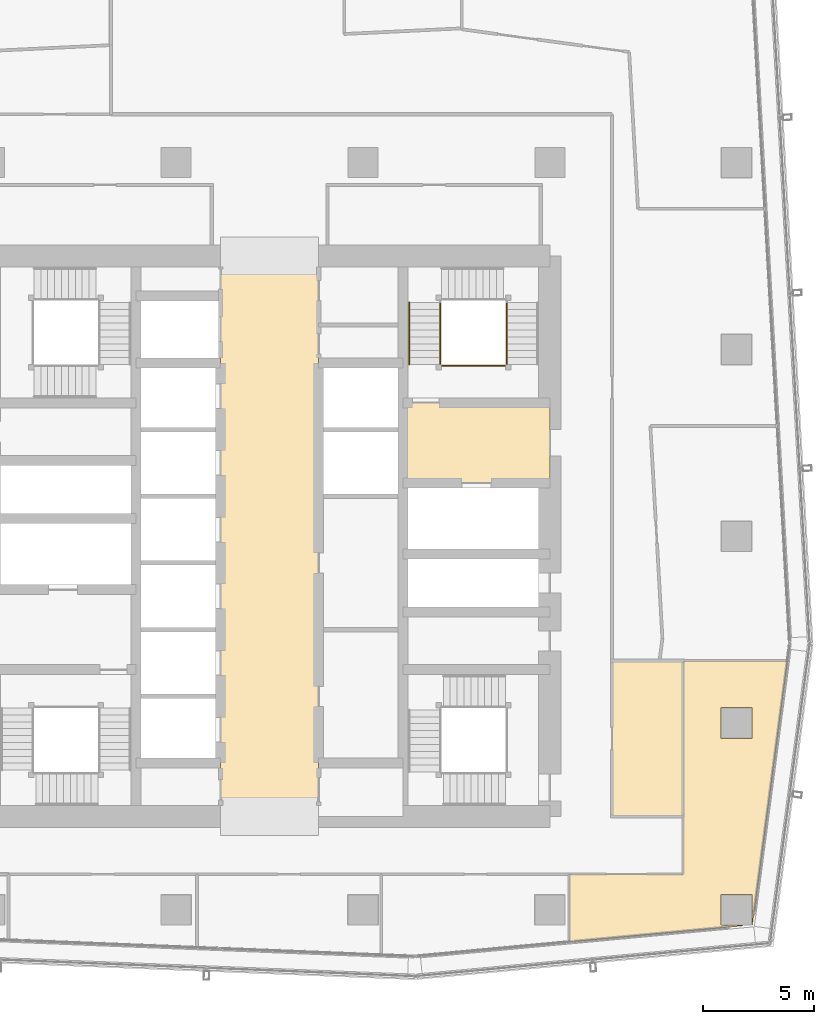
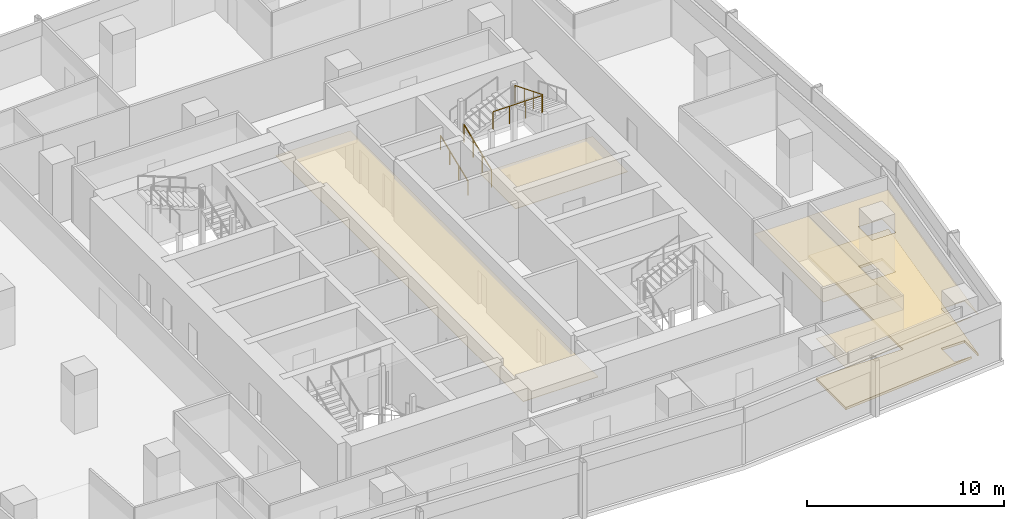
# One storey, part 36 of 40: 5 coverings, 4 railings.
"""IFC4 building model written with IfcOpenShell, lengths in metres."""

from ifc_helpers import new_model, si_unit, direction, frame, origin, origin_2d, place, context, subcontext, project, spatial, polyline, circle, outline, extrude, material, layer, layer_set, type_object, element, save


model = new_model("IFC4")

# Units and contexts
model_context = context("Model", 3, precision=1e-05, world=origin(), true_north=direction((0.0, 1.0)))
body_context = subcontext(model_context, "Body", "Model", "MODEL_VIEW")
ifc_project = project(units=[si_unit("LENGTHUNIT", "METRE"), si_unit("AREAUNIT", "SQUARE_METRE"), si_unit("VOLUMEUNIT", "CUBIC_METRE"), si_unit("PLANEANGLEUNIT", "RADIAN"), si_unit("MASSUNIT", "GRAM", prefix="KILO")], contexts=[model_context])

# Site, building, storey
site_placement = place(None, origin())
site = spatial("IfcSite", under=ifc_project, at=site_placement, CompositionType="ELEMENT")
building_placement = place(site_placement, origin())
building = spatial("IfcBuilding", under=site, at=building_placement, Name="Rekha Terrace Tower", CompositionType="ELEMENT")
storey_placement = place(building_placement, frame((0.0, 0.0, 210.199951171875)))
storey = spatial("IfcBuildingStorey", under=building, at=storey_placement, Name="L53", CompositionType="ELEMENT", Elevation=210.199951171875)

# Coverings
ifc_material_1 = material(Name="Mineral fibre tile in exposed grid", Category="finish")
ifc_layer_1 = layer(ifc_material_1, 0.02001953125)
ifc_layer_set_1 = layer_set([ifc_layer_1], Name="Mineral fibre tile in exposed grid")
covering_type_1 = type_object("IfcCoveringType", Name="CL1 600x1200 office grid ceiling", PredefinedType="CEILING", material=ifc_layer_set_1)
covering_1_placement = place(storey_placement, frame((0.0, 0.0, 2.580078125)))
element("IfcCovering", 1, at=covering_1_placement, inside=storey, type_object=covering_type_1, Name="Ceiling L53-04", PredefinedType="CEILING", context=body_context, shape_type="SweptSolid", body=[
    extrude(outline(polyline([(59.489990234375, 16.12890625), (59.510009765625, 16.1279296875), (61.0830078125, 28.0), (56.39990234375, 28.0), (56.39990234375, 18.39990234375), (51.291015625, 18.39990234375), (51.291015625, 15.362060546875), (59.080078125, 16.0869140625), (59.0791015625, 16.110107421875), (58.110107421875, 16.110107421875), (58.110107421875, 17.489990234375), (59.489990234375, 17.489990234375), (59.489990234375, 16.12890625)]), holes=[polyline([(59.489990234375, 24.510009765625), (58.110107421875, 24.510009765625), (58.110107421875, 25.889892578125), (59.489990234375, 25.889892578125), (59.489990234375, 24.510009765625)])]), origin(), (0.0, 0.0, 1.0), 0.02001953125),
])
ifc_material_2 = material(Name="Fibre cement board", Category="finish")
ifc_layer_2 = layer(ifc_material_2, 0.014892578125)
ifc_layer_set_2 = layer_set([ifc_layer_2], Name="Fibre cement board")
covering_type_2 = type_object("IfcCoveringType", Name="CL2 moisture-resistant board ceiling", PredefinedType="CEILING", material=ifc_layer_set_2)
covering_2_placement = place(storey_placement, frame((0.0, 0.0, 2.5849609375)))
element("IfcCovering", 2, at=covering_2_placement, inside=storey, type_object=covering_type_2, Name="Ceiling L53-WCM2", PredefinedType="CEILING", context=body_context, shape_type="SweptSolid", body=[
    extrude(outline(polyline([(56.39990234375, 28.0), (53.199951171875, 28.0), (53.199951171875, 21.0), (56.39990234375, 21.0), (56.39990234375, 28.0)])), origin(), (0.0, 0.0, 1.0), 0.01513671875),
])
ifc_material_3 = material(Name="Powder-coated aluminium pan", Category="aluminium")
ifc_layer_3 = layer(ifc_material_3, 0.030029296875)
ifc_layer_set_3 = layer_set([ifc_layer_3], Name="Powder-coated aluminium pan")
covering_type_3 = type_object("IfcCoveringType", Name="CL3 300x1200 metal pan ceiling", PredefinedType="CEILING", material=ifc_layer_set_3)
covering_3_placement = place(storey_placement, frame((0.0, 0.0, 2.570068359375)))
element("IfcCovering", 3, at=covering_3_placement, inside=storey, type_object=covering_type_3, Name="Ceiling L53-LOBBY", PredefinedType="CEILING", context=body_context, shape_type="SweptSolid", body=[
    extrude(outline(polyline([(40.0, 46.199951171875), (35.60009765625, 46.199951171875), (35.60009765625, 21.0), (40.0, 21.0), (40.0, 46.199951171875)])), origin(), (0.0, 0.0, 1.0), 0.030029296875),
])
covering_4_placement = place(storey_placement, frame((0.0, 0.0, 2.570068359375)))
element("IfcCovering", 4, at=covering_4_placement, inside=storey, type_object=covering_type_3, Name="Ceiling L53-FLB2", PredefinedType="CEILING", context=body_context, shape_type="SweptSolid", body=[
    extrude(outline(polyline([(50.39990234375, 39.60009765625), (43.800048828125, 39.60009765625), (43.800048828125, 36.0), (50.39990234375, 36.0), (50.39990234375, 39.60009765625)])), origin(), (0.0, 0.0, 1.0), 0.030029296875),
])

# Railings
ifc_material_4 = material(Name="Stainless steel balustrade", Category="steel")
railing_type_1 = type_object("IfcRailingType", Name="GR1 1100 stair guard", PredefinedType="GUARDRAIL", material=ifc_material_4)
railing_1_placement = place(storey_placement, frame((45.465087890625, 41.324951171875, 0.125)))
element("IfcRailing", 5, at=railing_1_placement, inside=storey, type_object=railing_type_1, Name="Guard ST2 L53 flight 1", PredefinedType="GUARDRAIL", context=body_context, shape_type="SweptSolid", body=[
    extrude(circle(Radius=0.02392578125, at=origin_2d()), frame((0.0, 0.0, 1.076171875), z_axis=(0.0, 0.927443287984, 0.373963831907), x_axis=(-1.0, 0.0, 0.0)), (0.0, 0.0, 1.0), 3.00830078125),
    extrude(circle(Radius=0.02099609375, at=origin_2d()), origin(), (0.0, 0.0, 1.0), 1.052001953125),
    extrude(circle(Radius=0.02099609375, at=origin_2d()), frame((0.0, 0.929931640625, 0.375)), (0.0, 0.0, 1.0), 1.052001953125),
    extrude(circle(Radius=0.02099609375, at=origin_2d()), frame((0.0, 1.860107421875, 0.75)), (0.0, 0.0, 1.0), 1.052001953125),
    extrude(circle(Radius=0.02099609375, at=origin_2d()), frame((0.0, 2.7900390625, 1.125)), (0.0, 0.0, 1.0), 1.052001953125),
])
railing_2_placement = place(storey_placement, frame((48.4599609375, 44.114990234375, 2.625)))
element("IfcRailing", 6, at=railing_2_placement, inside=storey, type_object=railing_type_1, Name="Guard ST2 L53 flight 3", PredefinedType="GUARDRAIL", context=body_context, shape_type="SweptSolid", body=[
    extrude(circle(Radius=0.02392578125, at=origin_2d()), frame((0.0, 0.0, 1.076171875), z_axis=(0.0, -0.927443287984, 0.373963831907), x_axis=(1.0, 0.0, 0.0)), (0.0, 0.0, 1.0), 3.00830078125),
    extrude(circle(Radius=0.02099609375, at=origin_2d()), origin(), (0.0, 0.0, 1.0), 1.052001953125),
    extrude(circle(Radius=0.02099609375, at=origin_2d()), frame((0.0, -0.929931640625, 0.375)), (0.0, 0.0, 1.0), 1.052001953125),
    extrude(circle(Radius=0.02099609375, at=origin_2d()), frame((0.0, -1.860107421875, 0.75)), (0.0, 0.0, 1.0), 1.052001953125),
    extrude(circle(Radius=0.02099609375, at=origin_2d()), frame((0.0, -2.7900390625, 1.125)), (0.0, 0.0, 1.0), 1.052001953125),
])
railing_3_placement = place(storey_placement, frame((45.52490234375, 41.264892578125, 3.75)))
element("IfcRailing", 7, at=railing_3_placement, inside=storey, type_object=railing_type_1, Name="Guard ST2 L53 landing 4", PredefinedType="GUARDRAIL", context=body_context, shape_type="SweptSolid", body=[
    extrude(circle(Radius=0.02392578125, at=origin_2d()), frame((0.0, 0.0, 1.076171875), z_axis=(1.0, 0.0, 0.0), x_axis=(0.0, 1.0, 0.0)), (0.0, 0.0, 1.0), 2.875),
    extrude(circle(Radius=0.02099609375, at=origin_2d()), origin(), (0.0, 0.0, 1.0), 1.052001953125),
    extrude(circle(Radius=0.02099609375, at=origin_2d()), frame((0.958251953125, 0.0, 0.0)), (0.0, 0.0, 1.0), 1.052001953125),
    extrude(circle(Radius=0.02099609375, at=origin_2d()), frame((1.916748046875, 0.0, 0.0)), (0.0, 0.0, 1.0), 1.052001953125),
    extrude(circle(Radius=0.02099609375, at=origin_2d()), frame((2.875, 0.0, 0.0)), (0.0, 0.0, 1.0), 1.052001953125),
])
ifc_material_5 = material(Name="Stainless steel tube", Category="steel")
railing_type_2 = type_object("IfcRailingType", Name="HR1 900 stair handrail", PredefinedType="HANDRAIL", material=ifc_material_5)
railing_4_placement = place(storey_placement, frame((44.0849609375, 41.324951171875, 0.125)))
element("IfcRailing", 8, at=railing_4_placement, inside=storey, type_object=railing_type_2, Name="Handrail ST2 L53 flight 1", PredefinedType="HANDRAIL", context=body_context, shape_type="SweptSolid", body=[
    extrude(circle(Radius=0.02392578125, at=origin_2d()), frame((0.0, 0.0, 0.8759765625), z_axis=(0.0, 0.927443287984, 0.373963831907), x_axis=(-1.0, 0.0, 0.0)), (0.0, 0.0, 1.0), 3.00830078125),
    extrude(circle(Radius=0.02099609375, at=origin_2d()), origin(), (0.0, 0.0, 1.0), 0.851806640625),
    extrude(circle(Radius=0.02099609375, at=origin_2d()), frame((0.0, 0.929931640625, 0.375)), (0.0, 0.0, 1.0), 0.851806640625),
    extrude(circle(Radius=0.02099609375, at=origin_2d()), frame((0.0, 1.860107421875, 0.75)), (0.0, 0.0, 1.0), 0.851806640625),
    extrude(circle(Radius=0.02099609375, at=origin_2d()), frame((0.0, 2.7900390625, 1.125)), (0.0, 0.0, 1.0), 0.851806640625),
])

# Covering
ifc_material_6 = material(Name="Calcium sulphate panels on steel pedestals", Category="steel")
ifc_layer_4 = layer(ifc_material_6, 0.14990234375)
ifc_layer_set_4 = layer_set([ifc_layer_4], Name="Calcium sulphate panels on steel pedestals")
covering_type_4 = type_object("IfcCoveringType", Name="RF1 150 raised access floor", PredefinedType="FLOORING", material=ifc_layer_set_4)
covering_5_placement = place(storey_placement, origin())
element("IfcCovering", 9, at=covering_5_placement, inside=storey, type_object=covering_type_4, Name="Raised floor L53-04", PredefinedType="FLOORING", context=body_context, shape_type="SweptSolid", body=[
    extrude(outline(polyline([(59.489990234375, 16.12890625), (59.510009765625, 16.1279296875), (61.0830078125, 28.0), (56.39990234375, 28.0), (56.39990234375, 18.39990234375), (51.291015625, 18.39990234375), (51.291015625, 15.362060546875), (59.080078125, 16.0869140625), (59.0791015625, 16.110107421875), (58.110107421875, 16.110107421875), (58.110107421875, 17.489990234375), (59.489990234375, 17.489990234375), (59.489990234375, 16.12890625)]), holes=[polyline([(59.489990234375, 24.510009765625), (58.110107421875, 24.510009765625), (58.110107421875, 25.889892578125), (59.489990234375, 25.889892578125), (59.489990234375, 24.510009765625)])]), origin(), (0.0, 0.0, 1.0), 0.150146484375),
])

save(model, "model.ifc")
